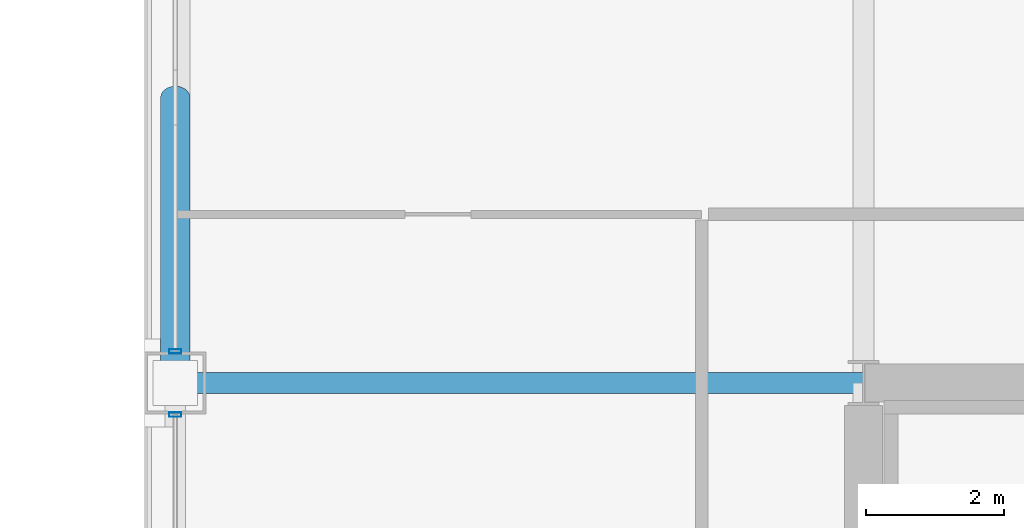
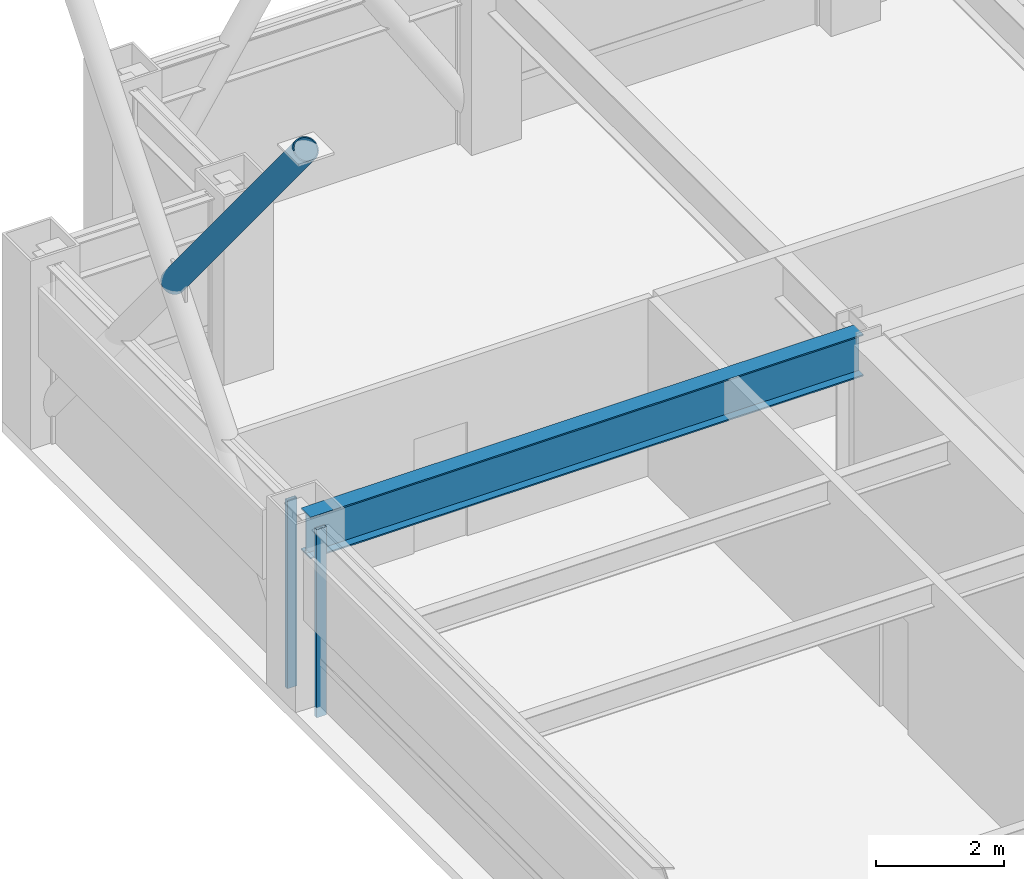
# One storey, part 14 of 30: 3 members, 1 beam, 2 elements without a shape of their own.
"""IFC4 building model written with IfcOpenShell, lengths in metres."""

from ifc_helpers import new_model, si_unit, direction, frame, origin, origin_2d, place, context, subcontext, project, spatial, hollow_rectangle, hollow_circle, i_section, extrude, material, layer, layer_set, material_profile, profile_set, type_object, element, aggregate, save


model = new_model("IFC4")

# Units and contexts
model_context = context("Model", 3, precision=1e-05, world=origin(), true_north=direction((0.0, 1.0)))
body_context = subcontext(model_context, "Body", "Model", "MODEL_VIEW")
ifc_project = project(units=[si_unit("LENGTHUNIT", "METRE"), si_unit("AREAUNIT", "SQUARE_METRE"), si_unit("VOLUMEUNIT", "CUBIC_METRE"), si_unit("PLANEANGLEUNIT", "RADIAN"), si_unit("MASSUNIT", "GRAM", prefix="KILO")], contexts=[model_context])

# Site, building, storey
site_placement = place(None, origin())
site = spatial("IfcSite", under=ifc_project, at=site_placement, CompositionType="ELEMENT")
building_placement = place(site_placement, origin())
building = spatial("IfcBuilding", under=site, at=building_placement, Name="Brelmoor Portico Tower", CompositionType="ELEMENT")
storey_placement = place(building_placement, frame((0.0, 0.0, 56.39990234375)))
storey = spatial("IfcBuildingStorey", under=building, at=storey_placement, Name="L14", CompositionType="ELEMENT", Elevation=56.39990234375)

# Beam
ifc_material_1 = material(Name="Steel Q355B", Category="steel")
ifc_material_profile_1 = material_profile(ifc_material_1, i_section(OverallWidth=0.300048828125, OverallDepth=0.800048828125, WebThickness=0.013916015625, FlangeThickness=0.02587890625, at=origin_2d()), Name="HN 800x300x14x26")
ifc_profile_set_1 = profile_set([ifc_material_profile_1], Name="Steel Q355B")
beam_type = type_object("IfcBeamType", Name="BM-PG-800", PredefinedType="BEAM", material=ifc_profile_set_1)
beam_placement = place(storey_placement, frame((-24.550048828125, 9.75, 3.0), z_axis=(1.0, 0.0, 0.0), x_axis=(0.0, 1.0, 0.0)))
element("IfcBeam", 1, at=beam_placement, inside=storey, type_object=beam_type, Name="L14 Primary Floor Girder PG-27", PredefinedType="BEAM", context=body_context, shape_type="SweptSolid", body=[
    extrude(i_section(OverallWidth=0.300048828125, OverallDepth=0.800048828125, WebThickness=0.013916015625, FlangeThickness=0.02587890625, at=origin_2d()), origin(), (0.0, 0.0, 1.0), 10.0),
])

# Member
ifc_material_profile_2 = material_profile(ifc_material_1, hollow_circle(Radius=0.212890625, WallThickness=0.02001953125, at=origin_2d()), Name="CHS 426x20")
ifc_profile_set_2 = profile_set([ifc_material_profile_2], Name="Steel Q355B")
member_type_1 = type_object("IfcMemberType", Name="MB-BELT-DIAG1", PredefinedType="BRACE", material=ifc_profile_set_2)
member_1_placement = place(storey_placement, frame((-24.550048828125, 13.89990234375, 5.300048828125), z_axis=(0.0, -0.634889952641, 0.772602580914), x_axis=(1.0, 0.0, 0.0)))
element("IfcMember", 2, at=member_1_placement, inside=storey, type_object=member_type_1, Name="L14 Split Mega-X Brace 030B2", PredefinedType="BRACE", context=body_context, shape_type="SweptSolid", body=[
    extrude(hollow_circle(Radius=0.212890625, WallThickness=0.02001953125, at=origin_2d()), origin(), (0.0, 0.0, 1.0), 6.536376953125),
])

# Curtain wall, member
ifc_material_2 = material(Name="Anodised Aluminium Alloy 6063-T6", Category="aluminium")
ifc_layer_1 = layer(ifc_material_2, 0.179931640625)
ifc_layer_set_1 = layer_set([ifc_layer_1], Name="Anodised Aluminium Alloy 6063-T6")
curtain_wall_type_1 = type_object("IfcCurtainWallType", Name="CW-TOWER-Z1", PredefinedType="NOTDEFINED", material=ifc_layer_set_1)
curtain_wall_1_placement = place(storey_placement, origin())
curtain_wall_1 = element("IfcCurtainWall", 3, at=curtain_wall_1_placement, inside=storey, type_object=curtain_wall_type_1, Name="L14 Curtain Wall CW-L14-3R-1", PredefinedType="NOTDEFINED")
ifc_material_profile_3 = material_profile(ifc_material_2, hollow_rectangle(XDim=0.06494140625, YDim=0.179931640625, WallThickness=0.00390625, at=origin_2d()), Name="ALU MULLION 65x180")
ifc_profile_set_3 = profile_set([ifc_material_profile_3], Name="Anodised Aluminium Alloy 6063-T6")
member_type_2 = type_object("IfcMemberType", Name="MB-CW-MULL-180", PredefinedType="MULLION", material=ifc_profile_set_3)
member_2_placement = place(storey_placement, frame((-24.550048828125, 9.2900390625, -0.199951171875), z_axis=(0.0, 0.0, 1.0), x_axis=(0.0, 1.0, 0.0)))
member_2 = element("IfcMember", 4, at=member_2_placement, type_object=member_type_2, Name="CW-L14-3R-1 Mullion 01", PredefinedType="MULLION", context=body_context, shape_type="SweptSolid", body=[
    extrude(hollow_rectangle(XDim=0.06494140625, YDim=0.179931640625, WallThickness=0.00390625, at=origin_2d()), origin(), (0.0, 0.0, 1.0), 3.60009765625),
])
aggregate(curtain_wall_1, [member_2])

ifc_layer_2 = layer(ifc_material_2, 0.179931640625)
ifc_layer_set_2 = layer_set([ifc_layer_2], Name="Anodised Aluminium Alloy 6063-T6")
curtain_wall_type_2 = type_object("IfcCurtainWallType", Name="CW-TOWER-Z1-XB", PredefinedType="NOTDEFINED", material=ifc_layer_set_2)
curtain_wall_2_placement = place(storey_placement, origin())
curtain_wall_2 = element("IfcCurtainWall", 5, at=curtain_wall_2_placement, inside=storey, type_object=curtain_wall_type_2, Name="L14 Curtain Wall CW-L14-3R-2", PredefinedType="NOTDEFINED")
member_3_placement = place(storey_placement, frame((-24.550048828125, 10.2099609375, -0.199951171875), z_axis=(0.0, 0.0, 1.0), x_axis=(0.0, 1.0, 0.0)))
member_3 = element("IfcMember", 6, at=member_3_placement, type_object=member_type_2, Name="CW-L14-3R-2 Mullion 00", PredefinedType="MULLION", context=body_context, shape_type="SweptSolid", body=[
    extrude(hollow_rectangle(XDim=0.06494140625, YDim=0.179931640625, WallThickness=0.00390625, at=origin_2d()), origin(), (0.0, 0.0, 1.0), 3.60009765625),
])
aggregate(curtain_wall_2, [member_3])

save(model, "model.ifc")
